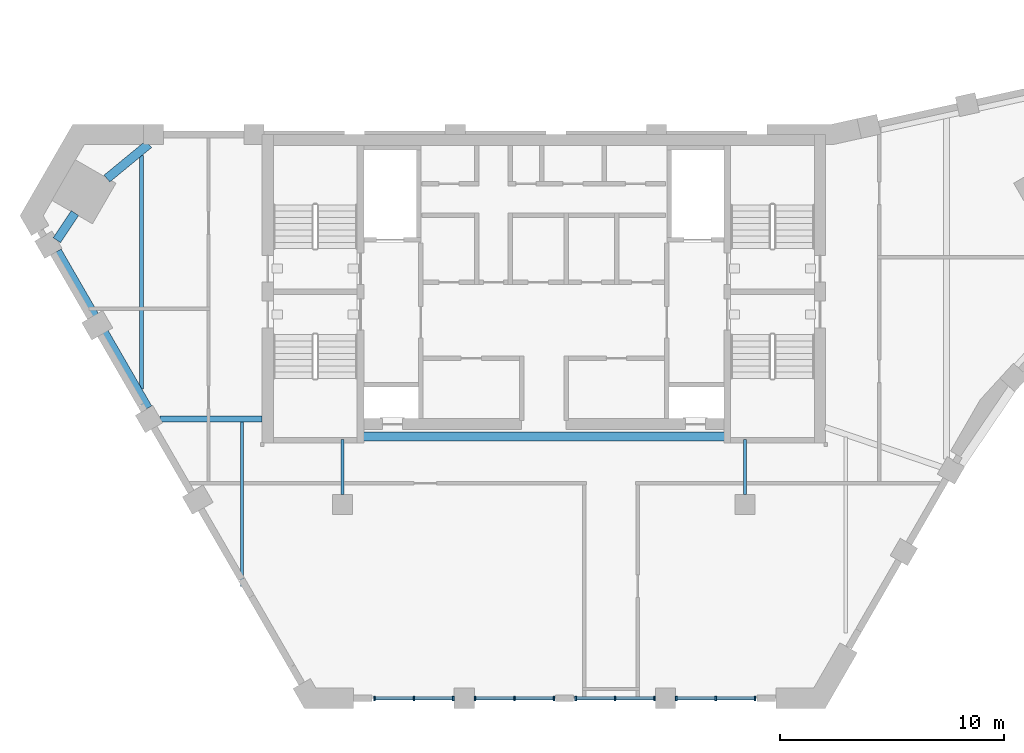
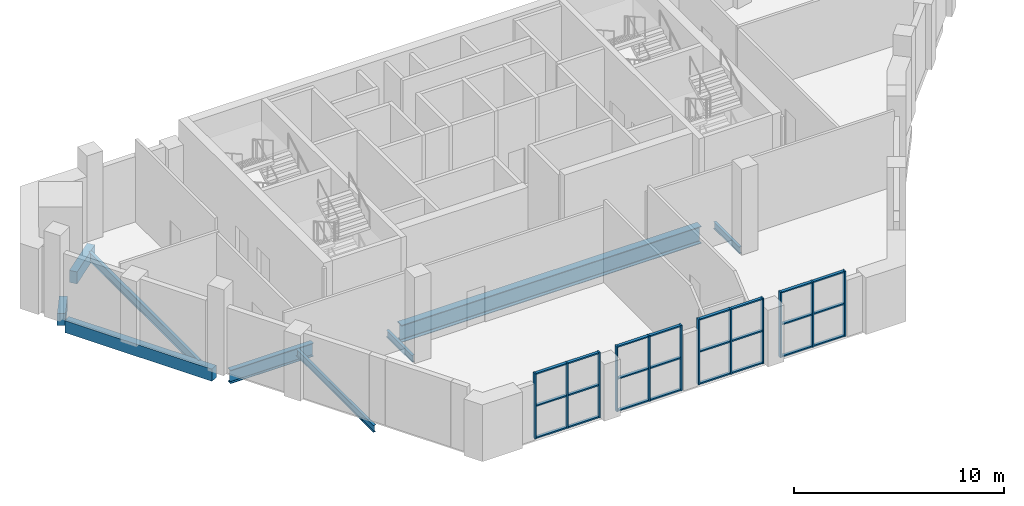
# One storey, part 2 of 9: 36 members, 9 beams, 4 elements without a shape of their own.
"""IFC4 building model written with IfcOpenShell, lengths in metres."""

from ifc_helpers import new_model, si_unit, direction, frame, origin, origin_2d, place, context, subcontext, project, spatial, rectangle, i_section, extrude, material, material_profile, profile_set, type_object, element, aggregate, save


model = new_model("IFC4")

# Units and contexts
model_context = context("Model", 3, precision=1e-05, world=origin(), true_north=direction((0.0, 1.0)))
body_context = subcontext(model_context, "Body", "Model", "MODEL_VIEW")
ifc_project = project(units=[si_unit("LENGTHUNIT", "METRE"), si_unit("AREAUNIT", "SQUARE_METRE"), si_unit("VOLUMEUNIT", "CUBIC_METRE"), si_unit("PLANEANGLEUNIT", "RADIAN"), si_unit("MASSUNIT", "GRAM", prefix="KILO")], contexts=[model_context])

# Site, building, storey
site_placement = place(None, origin())
site = spatial("IfcSite", under=ifc_project, at=site_placement, CompositionType="ELEMENT")
building_placement = place(site_placement, origin())
building = spatial("IfcBuilding", under=site, at=building_placement, Name="Calabash Gate Tower", CompositionType="ELEMENT")
storey_placement = place(building_placement, frame((0.0, 0.0, 325.5)))
storey = spatial("IfcBuildingStorey", under=building, at=storey_placement, Name="L76", CompositionType="ELEMENT", Elevation=325.5)

# Beams
ifc_material_1 = material(Name="Concrete C50/60", Category="concrete")
ifc_material_profile_1 = material_profile(ifc_material_1, rectangle(XDim=0.39990234375, YDim=0.699951171875, at=origin_2d()))
ifc_profile_set_1 = profile_set([ifc_material_profile_1], Name="Concrete C50/60")
beam_type_1 = type_object("IfcBeamType", Name="Edge beam RC 400x700 Concrete C50/60", PredefinedType="BEAM", material=ifc_profile_set_1)
beam_1_placement = place(storey_placement, frame((-17.673095703125, 18.623046875, -0.550048828125), z_axis=(-0.77193605732, -0.635700183585, 0.0), x_axis=(0.635700183585, -0.77193605732, 0.0)))
element("IfcBeam", 1, at=beam_1_placement, inside=storey, type_object=beam_type_1, Name="Edge beam L76 8", PredefinedType="BEAM", context=body_context, shape_type="SweptSolid", body=[
    extrude(rectangle(XDim=0.39990234375, YDim=0.699951171875, at=origin_2d()), origin(), (0.0, 0.0, 1.0), 2.421142578125),
])
beam_2_placement = place(storey_placement, frame((-20.97412109375, 15.535888671875, -0.550048828125), z_axis=(-0.556208441461, -0.831042820586, 0.0), x_axis=(0.831042820586, -0.556208441461, 0.0)))
element("IfcBeam", 2, at=beam_2_placement, inside=storey, type_object=beam_type_1, Name="Edge beam L76 9", PredefinedType="BEAM", context=body_context, shape_type="SweptSolid", body=[
    extrude(rectangle(XDim=0.39990234375, YDim=0.699951171875, at=origin_2d()), origin(), (0.0, 0.0, 1.0), 1.4560546875),
])
beam_3_placement = place(storey_placement, frame((-21.763916015625, 13.830078125, -0.550048828125), z_axis=(0.500016430238, -0.866015917575, 0.0), x_axis=(0.866015917575, 0.500016430238, 0.0)))
element("IfcBeam", 3, at=beam_3_placement, inside=storey, type_object=beam_type_1, Name="Edge beam L76 10", PredefinedType="BEAM", context=body_context, shape_type="SweptSolid", body=[
    extrude(rectangle(XDim=0.39990234375, YDim=0.699951171875, at=origin_2d()), origin(), (0.0, 0.0, 1.0), 8.099365234375),
])
ifc_material_2 = material(Name="Steel ASTM A992 Gr50", Category="steel")
ifc_material_profile_2 = material_profile(ifc_material_2, i_section(OverallWidth=0.1396484375, OverallDepth=0.398681640625, WebThickness=0.00634765625, FlangeThickness=0.0087890625, FilletRadius=0.01025390625, at=origin_2d()))
ifc_profile_set_2 = profile_set([ifc_material_profile_2], Name="Steel ASTM A992 Gr50")
beam_type_2 = type_object("IfcBeamType", Name="Floor beam W16x26 ASTM A992 Gr50", PredefinedType="BEAM", material=ifc_profile_set_2)
beam_4_placement = place(storey_placement, frame((-13.5, -1.173095703125, -0.39892578125), z_axis=(0.0, 1.0, 0.0), x_axis=(-1.0, 0.0, 0.0)))
element("IfcBeam", 4, at=beam_4_placement, inside=storey, type_object=beam_type_2, Name="Floor beam L76 2", PredefinedType="BEAM", context=body_context, shape_type="SweptSolid", body=[
    extrude(i_section(OverallWidth=0.1396484375, OverallDepth=0.398681640625, WebThickness=0.00634765625, FlangeThickness=0.0087890625, FilletRadius=0.01025390625, at=origin_2d()), origin(), (0.0, 0.0, 1.0), 7.364990234375),
])
for number, where, z_axis, x_axis, name in (
    (5, (-9.0, 2.949951171875, -0.39892578125), (0.0, 1.0, 0.0), (-1.0, 0.0, 0.0), "Floor beam L76 3"),
    (6, (9.0, 2.949951171875, -0.39892578125), (0.0, 1.0, 0.0), (-1.0, 0.0, 0.0), "Floor beam L76 4"),
):
    element("IfcBeam", number, at=place(storey_placement, frame(where, z_axis=z_axis, x_axis=x_axis)), inside=storey, type_object=beam_type_2, Name=name, PredefinedType="BEAM", context=body_context, shape_type="SweptSolid", body=[
        extrude(i_section(OverallWidth=0.1396484375, OverallDepth=0.398681640625, WebThickness=0.00634765625, FlangeThickness=0.0087890625, FilletRadius=0.01025390625, at=origin_2d()), origin(), (0.0, 0.0, 1.0), 2.453125),
    ])
ifc_material_3 = material(Name="Steel ASTM A992 Gr50", Category="steel")
ifc_material_profile_3 = material_profile(ifc_material_3, i_section(OverallWidth=0.166015625, OverallDepth=0.5283203125, WebThickness=0.009765625, FlangeThickness=0.013671875, FilletRadius=0.0126953125, at=origin_2d()))
ifc_profile_set_3 = profile_set([ifc_material_profile_3], Name="Steel ASTM A992 Gr50")
beam_type_3 = type_object("IfcBeamType", Name="Floor beam W21x50 ASTM A992 Gr50", PredefinedType="BEAM", material=ifc_profile_set_3)
beam_5_placement = place(storey_placement, frame((-18.0, 7.679931640625, -0.464111328125), z_axis=(0.0, 1.0, 0.0), x_axis=(-1.0, 0.0, 0.0)))
element("IfcBeam", 7, at=beam_5_placement, inside=storey, type_object=beam_type_3, Name="Floor beam L76 1", PredefinedType="BEAM", context=body_context, shape_type="SweptSolid", body=[
    extrude(i_section(OverallWidth=0.166015625, OverallDepth=0.5283203125, WebThickness=0.009765625, FlangeThickness=0.013671875, FilletRadius=0.0126953125, at=origin_2d()), origin(), (0.0, 0.0, 1.0), 10.43701171875),
])
ifc_material_4 = material(Name="Steel ASTM A992 Gr50", Category="steel")
ifc_material_profile_4 = material_profile(ifc_material_4, i_section(OverallWidth=0.2666015625, OverallDepth=0.77978515625, WebThickness=0.0166015625, FlangeThickness=0.030029296875, FilletRadius=0.0166015625, at=origin_2d()))
ifc_profile_set_4 = profile_set([ifc_material_profile_4], Name="Steel ASTM A992 Gr50")
beam_type_4 = type_object("IfcBeamType", Name="Girder W30x148 ASTM A992 Gr50", PredefinedType="BEAM", material=ifc_profile_set_4)
beam_6_placement = place(storey_placement, frame((-17.1640625, 6.325927734375, -0.590087890625), z_axis=(1.0, 0.0, 0.0), x_axis=(0.0, 1.0, 0.0)))
element("IfcBeam", 8, at=beam_6_placement, inside=storey, type_object=beam_type_4, Name="Girder L76 2", PredefinedType="BEAM", context=body_context, shape_type="SweptSolid", body=[
    extrude(i_section(OverallWidth=0.2666015625, OverallDepth=0.77978515625, WebThickness=0.0166015625, FlangeThickness=0.030029296875, FilletRadius=0.0166015625, at=origin_2d()), origin(), (0.0, 0.0, 1.0), 4.56396484375),
])
ifc_material_5 = material(Name="Steel ASTM A992 Gr50", Category="steel")
ifc_material_profile_5 = material_profile(ifc_material_5, i_section(OverallWidth=0.4013671875, OverallDepth=1.000732421875, WebThickness=0.01904296875, FlangeThickness=0.0361328125, FilletRadius=0.030029296875, at=origin_2d()))
ifc_profile_set_5 = profile_set([ifc_material_profile_5], Name="Steel ASTM A992 Gr50")
beam_type_5 = type_object("IfcBeamType", Name="Girder W40x249 ASTM A992 Gr50", PredefinedType="BEAM", material=ifc_profile_set_5)
beam_7_placement = place(storey_placement, frame((-8.25, 5.552978515625, -0.699951171875), z_axis=(1.0, 0.0, 0.0), x_axis=(0.0, 1.0, 0.0)))
element("IfcBeam", 9, at=beam_7_placement, inside=storey, type_object=beam_type_5, Name="Girder L76 1", PredefinedType="BEAM", context=body_context, shape_type="SweptSolid", body=[
    extrude(i_section(OverallWidth=0.4013671875, OverallDepth=1.000732421875, WebThickness=0.01904296875, FlangeThickness=0.0361328125, FilletRadius=0.030029296875, at=origin_2d()), origin(), (0.0, 0.0, 1.0), 16.5),
])

# Curtain wall, members
ifc_material_6 = material(Name="Anodised aluminium frame, bronze finish, clear laminated impact-rated glazing", Category="aluminium")
curtain_wall_type = type_object("IfcCurtainWallType", Name="Curtain wall CWV crown wall", PredefinedType="NOTDEFINED", material=ifc_material_6)
curtain_wall_1_placement = place(storey_placement, origin())
curtain_wall_1 = element("IfcCurtainWall", 10, at=curtain_wall_1_placement, inside=storey, type_object=curtain_wall_type, Name="Curtain wall CWV L76 crown1.1", PredefinedType="NOTDEFINED")
ifc_material_7 = material(Name="Anodised aluminium frame, bronze finish", Category="aluminium")
ifc_material_profile_6 = material_profile(ifc_material_7, rectangle(XDim=0.199951171875, YDim=0.074951171875, at=origin_2d()))
ifc_profile_set_6 = profile_set([ifc_material_profile_6], Name="Anodised aluminium frame, bronze finish")
member_type_1 = type_object("IfcMemberType", Name="Mullion CWV 75x200", PredefinedType="MULLION", material=ifc_profile_set_6)
member_1_placement = place(storey_placement, frame((-7.57666015625, -6.1630859375, 0.0), z_axis=(0.0, 0.0, 1.0), x_axis=(0.0, 1.0, 0.0)))
member_1 = element("IfcMember", 11, at=member_1_placement, type_object=member_type_1, Name="CWV mullion 1", PredefinedType="MULLION", context=body_context, shape_type="SweptSolid", body=[
    extrude(rectangle(XDim=0.199951171875, YDim=0.074951171875, at=origin_2d()), origin(), (0.0, 0.0, 1.0), 3.800048828125),
])
member_2_placement = place(storey_placement, frame((-5.81396484375, -6.1630859375, 0.0), z_axis=(0.0, 0.0, 1.0), x_axis=(0.0, 1.0, 0.0)))
member_2 = element("IfcMember", 12, at=member_2_placement, type_object=member_type_1, Name="CWV mullion 2", PredefinedType="MULLION", context=body_context, shape_type="SweptSolid", body=[
    extrude(rectangle(XDim=0.199951171875, YDim=0.074951171875, at=origin_2d()), origin(), (0.0, 0.0, 1.0), 3.800048828125),
])
member_3_placement = place(storey_placement, frame((-4.051513671875, -6.1630859375, 0.0), z_axis=(0.0, 0.0, 1.0), x_axis=(0.0, 1.0, 0.0)))
member_3 = element("IfcMember", 13, at=member_3_placement, type_object=member_type_1, Name="CWV mullion 3", PredefinedType="MULLION", context=body_context, shape_type="SweptSolid", body=[
    extrude(rectangle(XDim=0.199951171875, YDim=0.074951171875, at=origin_2d()), origin(), (0.0, 0.0, 1.0), 3.800048828125),
])

curtain_wall_2_placement = place(storey_placement, origin())
curtain_wall_2 = element("IfcCurtainWall", 14, at=curtain_wall_2_placement, inside=storey, type_object=curtain_wall_type, Name="Curtain wall CWV L76 crown1.2", PredefinedType="NOTDEFINED")
member_4_placement = place(storey_placement, frame((-3.07666015625, -6.1630859375, 0.0), z_axis=(0.0, 0.0, 1.0), x_axis=(0.0, 1.0, 0.0)))
member_4 = element("IfcMember", 15, at=member_4_placement, type_object=member_type_1, Name="CWV mullion 1", PredefinedType="MULLION", context=body_context, shape_type="SweptSolid", body=[
    extrude(rectangle(XDim=0.199951171875, YDim=0.074951171875, at=origin_2d()), origin(), (0.0, 0.0, 1.0), 3.800048828125),
])
member_5_placement = place(storey_placement, frame((-1.31396484375, -6.1630859375, 0.0), z_axis=(0.0, 0.0, 1.0), x_axis=(0.0, 1.0, 0.0)))
member_5 = element("IfcMember", 16, at=member_5_placement, type_object=member_type_1, Name="CWV mullion 2", PredefinedType="MULLION", context=body_context, shape_type="SweptSolid", body=[
    extrude(rectangle(XDim=0.199951171875, YDim=0.074951171875, at=origin_2d()), origin(), (0.0, 0.0, 1.0), 3.800048828125),
])
member_6_placement = place(storey_placement, frame((0.448486328125, -6.1630859375, 0.0), z_axis=(0.0, 0.0, 1.0), x_axis=(0.0, 1.0, 0.0)))
member_6 = element("IfcMember", 17, at=member_6_placement, type_object=member_type_1, Name="CWV mullion 3", PredefinedType="MULLION", context=body_context, shape_type="SweptSolid", body=[
    extrude(rectangle(XDim=0.199951171875, YDim=0.074951171875, at=origin_2d()), origin(), (0.0, 0.0, 1.0), 3.800048828125),
])

curtain_wall_3_placement = place(storey_placement, origin())
curtain_wall_3 = element("IfcCurtainWall", 18, at=curtain_wall_3_placement, inside=storey, type_object=curtain_wall_type, Name="Curtain wall CWV L76 crown1.3", PredefinedType="NOTDEFINED")
member_7_placement = place(storey_placement, frame((1.42333984375, -6.1630859375, 0.0), z_axis=(0.0, 0.0, 1.0), x_axis=(0.0, 1.0, 0.0)))
member_7 = element("IfcMember", 19, at=member_7_placement, type_object=member_type_1, Name="CWV mullion 1", PredefinedType="MULLION", context=body_context, shape_type="SweptSolid", body=[
    extrude(rectangle(XDim=0.199951171875, YDim=0.074951171875, at=origin_2d()), origin(), (0.0, 0.0, 1.0), 3.800048828125),
])
member_8_placement = place(storey_placement, frame((3.18603515625, -6.1630859375, 0.0), z_axis=(0.0, 0.0, 1.0), x_axis=(0.0, 1.0, 0.0)))
member_8 = element("IfcMember", 20, at=member_8_placement, type_object=member_type_1, Name="CWV mullion 2", PredefinedType="MULLION", context=body_context, shape_type="SweptSolid", body=[
    extrude(rectangle(XDim=0.199951171875, YDim=0.074951171875, at=origin_2d()), origin(), (0.0, 0.0, 1.0), 3.800048828125),
])
member_9_placement = place(storey_placement, frame((4.948486328125, -6.1630859375, 0.0), z_axis=(0.0, 0.0, 1.0), x_axis=(0.0, 1.0, 0.0)))
member_9 = element("IfcMember", 21, at=member_9_placement, type_object=member_type_1, Name="CWV mullion 3", PredefinedType="MULLION", context=body_context, shape_type="SweptSolid", body=[
    extrude(rectangle(XDim=0.199951171875, YDim=0.074951171875, at=origin_2d()), origin(), (0.0, 0.0, 1.0), 3.800048828125),
])

curtain_wall_4_placement = place(storey_placement, origin())
curtain_wall_4 = element("IfcCurtainWall", 22, at=curtain_wall_4_placement, inside=storey, type_object=curtain_wall_type, Name="Curtain wall CWV L76 crown1.4", PredefinedType="NOTDEFINED")
member_10_placement = place(storey_placement, frame((5.92333984375, -6.1630859375, 0.0), z_axis=(0.0, 0.0, 1.0), x_axis=(0.0, 1.0, 0.0)))
member_10 = element("IfcMember", 23, at=member_10_placement, type_object=member_type_1, Name="CWV mullion 1", PredefinedType="MULLION", context=body_context, shape_type="SweptSolid", body=[
    extrude(rectangle(XDim=0.199951171875, YDim=0.074951171875, at=origin_2d()), origin(), (0.0, 0.0, 1.0), 3.800048828125),
])
member_11_placement = place(storey_placement, frame((7.68603515625, -6.1630859375, 0.0), z_axis=(0.0, 0.0, 1.0), x_axis=(0.0, 1.0, 0.0)))
member_11 = element("IfcMember", 24, at=member_11_placement, type_object=member_type_1, Name="CWV mullion 2", PredefinedType="MULLION", context=body_context, shape_type="SweptSolid", body=[
    extrude(rectangle(XDim=0.199951171875, YDim=0.074951171875, at=origin_2d()), origin(), (0.0, 0.0, 1.0), 3.800048828125),
])
member_12_placement = place(storey_placement, frame((9.448486328125, -6.1630859375, 0.0), z_axis=(0.0, 0.0, 1.0), x_axis=(0.0, 1.0, 0.0)))
member_12 = element("IfcMember", 25, at=member_12_placement, type_object=member_type_1, Name="CWV mullion 3", PredefinedType="MULLION", context=body_context, shape_type="SweptSolid", body=[
    extrude(rectangle(XDim=0.199951171875, YDim=0.074951171875, at=origin_2d()), origin(), (0.0, 0.0, 1.0), 3.800048828125),
])

# Member
ifc_material_8 = material(Name="Anodised aluminium frame, bronze finish", Category="aluminium")
ifc_material_profile_7 = material_profile(ifc_material_8, rectangle(XDim=0.159912109375, YDim=0.074951171875, at=origin_2d()))
ifc_profile_set_7 = profile_set([ifc_material_profile_7], Name="Anodised aluminium frame, bronze finish")
member_type_2 = type_object("IfcMemberType", Name="Transom CWV 75x160", PredefinedType="USERDEFINED", material=ifc_profile_set_7)
member_13_placement = place(storey_placement, frame((-7.5390625, -6.1630859375, 0.03759765625), z_axis=(1.0, 0.0, 0.0), x_axis=(0.0, 1.0, 0.0)))
member_13 = element("IfcMember", 26, at=member_13_placement, type_object=member_type_2, Name="CWV transom 1.1", ObjectType="TRANSOM", PredefinedType="USERDEFINED", context=body_context, shape_type="SweptSolid", body=[
    extrude(rectangle(XDim=0.159912109375, YDim=0.074951171875, at=origin_2d()), origin(), (0.0, 0.0, 1.0), 1.6875),
])

member_14_placement = place(storey_placement, frame((-7.5390625, -6.1630859375, 1.89990234375), z_axis=(1.0, 0.0, 0.0), x_axis=(0.0, 1.0, 0.0)))
member_14 = element("IfcMember", 27, at=member_14_placement, type_object=member_type_2, Name="CWV transom 1.2", ObjectType="TRANSOM", PredefinedType="USERDEFINED", context=body_context, shape_type="SweptSolid", body=[
    extrude(rectangle(XDim=0.159912109375, YDim=0.074951171875, at=origin_2d()), origin(), (0.0, 0.0, 1.0), 1.6875),
])

member_15_placement = place(storey_placement, frame((-7.5390625, -6.1630859375, 3.762451171875), z_axis=(1.0, 0.0, 0.0), x_axis=(0.0, 1.0, 0.0)))
member_15 = element("IfcMember", 28, at=member_15_placement, type_object=member_type_2, Name="CWV transom 1.3", ObjectType="TRANSOM", PredefinedType="USERDEFINED", context=body_context, shape_type="SweptSolid", body=[
    extrude(rectangle(XDim=0.159912109375, YDim=0.074951171875, at=origin_2d()), origin(), (0.0, 0.0, 1.0), 1.6875),
])

member_16_placement = place(storey_placement, frame((-5.776611328125, -6.1630859375, 0.03759765625), z_axis=(1.0, 0.0, 0.0), x_axis=(0.0, 1.0, 0.0)))
member_16 = element("IfcMember", 29, at=member_16_placement, type_object=member_type_2, Name="CWV transom 2.1", ObjectType="TRANSOM", PredefinedType="USERDEFINED", context=body_context, shape_type="SweptSolid", body=[
    extrude(rectangle(XDim=0.159912109375, YDim=0.074951171875, at=origin_2d()), origin(), (0.0, 0.0, 1.0), 1.6875),
])

member_17_placement = place(storey_placement, frame((-5.776611328125, -6.1630859375, 1.89990234375), z_axis=(1.0, 0.0, 0.0), x_axis=(0.0, 1.0, 0.0)))
member_17 = element("IfcMember", 30, at=member_17_placement, type_object=member_type_2, Name="CWV transom 2.2", ObjectType="TRANSOM", PredefinedType="USERDEFINED", context=body_context, shape_type="SweptSolid", body=[
    extrude(rectangle(XDim=0.159912109375, YDim=0.074951171875, at=origin_2d()), origin(), (0.0, 0.0, 1.0), 1.6875),
])

member_18_placement = place(storey_placement, frame((-5.776611328125, -6.1630859375, 3.762451171875), z_axis=(1.0, 0.0, 0.0), x_axis=(0.0, 1.0, 0.0)))
member_18 = element("IfcMember", 31, at=member_18_placement, type_object=member_type_2, Name="CWV transom 2.3", ObjectType="TRANSOM", PredefinedType="USERDEFINED", context=body_context, shape_type="SweptSolid", body=[
    extrude(rectangle(XDim=0.159912109375, YDim=0.074951171875, at=origin_2d()), origin(), (0.0, 0.0, 1.0), 1.6875),
])

aggregate(curtain_wall_1, [member_1, member_2, member_3, member_13, member_14, member_15, member_16, member_17, member_18])

member_19_placement = place(storey_placement, frame((-3.0390625, -6.1630859375, 0.03759765625), z_axis=(1.0, 0.0, 0.0), x_axis=(0.0, 1.0, 0.0)))
member_19 = element("IfcMember", 32, at=member_19_placement, type_object=member_type_2, Name="CWV transom 1.1", ObjectType="TRANSOM", PredefinedType="USERDEFINED", context=body_context, shape_type="SweptSolid", body=[
    extrude(rectangle(XDim=0.159912109375, YDim=0.074951171875, at=origin_2d()), origin(), (0.0, 0.0, 1.0), 1.6875),
])

member_20_placement = place(storey_placement, frame((-3.0390625, -6.1630859375, 1.89990234375), z_axis=(1.0, 0.0, 0.0), x_axis=(0.0, 1.0, 0.0)))
member_20 = element("IfcMember", 33, at=member_20_placement, type_object=member_type_2, Name="CWV transom 1.2", ObjectType="TRANSOM", PredefinedType="USERDEFINED", context=body_context, shape_type="SweptSolid", body=[
    extrude(rectangle(XDim=0.159912109375, YDim=0.074951171875, at=origin_2d()), origin(), (0.0, 0.0, 1.0), 1.6875),
])

member_21_placement = place(storey_placement, frame((-3.0390625, -6.1630859375, 3.762451171875), z_axis=(1.0, 0.0, 0.0), x_axis=(0.0, 1.0, 0.0)))
member_21 = element("IfcMember", 34, at=member_21_placement, type_object=member_type_2, Name="CWV transom 1.3", ObjectType="TRANSOM", PredefinedType="USERDEFINED", context=body_context, shape_type="SweptSolid", body=[
    extrude(rectangle(XDim=0.159912109375, YDim=0.074951171875, at=origin_2d()), origin(), (0.0, 0.0, 1.0), 1.6875),
])

member_22_placement = place(storey_placement, frame((-1.276611328125, -6.1630859375, 0.03759765625), z_axis=(1.0, 0.0, 0.0), x_axis=(0.0, 1.0, 0.0)))
member_22 = element("IfcMember", 35, at=member_22_placement, type_object=member_type_2, Name="CWV transom 2.1", ObjectType="TRANSOM", PredefinedType="USERDEFINED", context=body_context, shape_type="SweptSolid", body=[
    extrude(rectangle(XDim=0.159912109375, YDim=0.074951171875, at=origin_2d()), origin(), (0.0, 0.0, 1.0), 1.6875),
])

member_23_placement = place(storey_placement, frame((-1.276611328125, -6.1630859375, 1.89990234375), z_axis=(1.0, 0.0, 0.0), x_axis=(0.0, 1.0, 0.0)))
member_23 = element("IfcMember", 36, at=member_23_placement, type_object=member_type_2, Name="CWV transom 2.2", ObjectType="TRANSOM", PredefinedType="USERDEFINED", context=body_context, shape_type="SweptSolid", body=[
    extrude(rectangle(XDim=0.159912109375, YDim=0.074951171875, at=origin_2d()), origin(), (0.0, 0.0, 1.0), 1.6875),
])

member_24_placement = place(storey_placement, frame((-1.276611328125, -6.1630859375, 3.762451171875), z_axis=(1.0, 0.0, 0.0), x_axis=(0.0, 1.0, 0.0)))
member_24 = element("IfcMember", 37, at=member_24_placement, type_object=member_type_2, Name="CWV transom 2.3", ObjectType="TRANSOM", PredefinedType="USERDEFINED", context=body_context, shape_type="SweptSolid", body=[
    extrude(rectangle(XDim=0.159912109375, YDim=0.074951171875, at=origin_2d()), origin(), (0.0, 0.0, 1.0), 1.6875),
])

aggregate(curtain_wall_2, [member_4, member_5, member_6, member_19, member_20, member_21, member_22, member_23, member_24])

member_25_placement = place(storey_placement, frame((1.4609375, -6.1630859375, 0.03759765625), z_axis=(1.0, 0.0, 0.0), x_axis=(0.0, 1.0, 0.0)))
member_25 = element("IfcMember", 38, at=member_25_placement, type_object=member_type_2, Name="CWV transom 1.1", ObjectType="TRANSOM", PredefinedType="USERDEFINED", context=body_context, shape_type="SweptSolid", body=[
    extrude(rectangle(XDim=0.159912109375, YDim=0.074951171875, at=origin_2d()), origin(), (0.0, 0.0, 1.0), 1.6875),
])

member_26_placement = place(storey_placement, frame((1.4609375, -6.1630859375, 1.89990234375), z_axis=(1.0, 0.0, 0.0), x_axis=(0.0, 1.0, 0.0)))
member_26 = element("IfcMember", 39, at=member_26_placement, type_object=member_type_2, Name="CWV transom 1.2", ObjectType="TRANSOM", PredefinedType="USERDEFINED", context=body_context, shape_type="SweptSolid", body=[
    extrude(rectangle(XDim=0.159912109375, YDim=0.074951171875, at=origin_2d()), origin(), (0.0, 0.0, 1.0), 1.6875),
])

member_27_placement = place(storey_placement, frame((1.4609375, -6.1630859375, 3.762451171875), z_axis=(1.0, 0.0, 0.0), x_axis=(0.0, 1.0, 0.0)))
member_27 = element("IfcMember", 40, at=member_27_placement, type_object=member_type_2, Name="CWV transom 1.3", ObjectType="TRANSOM", PredefinedType="USERDEFINED", context=body_context, shape_type="SweptSolid", body=[
    extrude(rectangle(XDim=0.159912109375, YDim=0.074951171875, at=origin_2d()), origin(), (0.0, 0.0, 1.0), 1.6875),
])

member_28_placement = place(storey_placement, frame((3.223388671875, -6.1630859375, 0.03759765625), z_axis=(1.0, 0.0, 0.0), x_axis=(0.0, 1.0, 0.0)))
member_28 = element("IfcMember", 41, at=member_28_placement, type_object=member_type_2, Name="CWV transom 2.1", ObjectType="TRANSOM", PredefinedType="USERDEFINED", context=body_context, shape_type="SweptSolid", body=[
    extrude(rectangle(XDim=0.159912109375, YDim=0.074951171875, at=origin_2d()), origin(), (0.0, 0.0, 1.0), 1.6875),
])

member_29_placement = place(storey_placement, frame((3.223388671875, -6.1630859375, 1.89990234375), z_axis=(1.0, 0.0, 0.0), x_axis=(0.0, 1.0, 0.0)))
member_29 = element("IfcMember", 42, at=member_29_placement, type_object=member_type_2, Name="CWV transom 2.2", ObjectType="TRANSOM", PredefinedType="USERDEFINED", context=body_context, shape_type="SweptSolid", body=[
    extrude(rectangle(XDim=0.159912109375, YDim=0.074951171875, at=origin_2d()), origin(), (0.0, 0.0, 1.0), 1.6875),
])

member_30_placement = place(storey_placement, frame((3.223388671875, -6.1630859375, 3.762451171875), z_axis=(1.0, 0.0, 0.0), x_axis=(0.0, 1.0, 0.0)))
member_30 = element("IfcMember", 43, at=member_30_placement, type_object=member_type_2, Name="CWV transom 2.3", ObjectType="TRANSOM", PredefinedType="USERDEFINED", context=body_context, shape_type="SweptSolid", body=[
    extrude(rectangle(XDim=0.159912109375, YDim=0.074951171875, at=origin_2d()), origin(), (0.0, 0.0, 1.0), 1.6875),
])

aggregate(curtain_wall_3, [member_7, member_8, member_9, member_25, member_26, member_27, member_28, member_29, member_30])

member_31_placement = place(storey_placement, frame((5.9609375, -6.1630859375, 0.03759765625), z_axis=(1.0, 0.0, 0.0), x_axis=(0.0, 1.0, 0.0)))
member_31 = element("IfcMember", 44, at=member_31_placement, type_object=member_type_2, Name="CWV transom 1.1", ObjectType="TRANSOM", PredefinedType="USERDEFINED", context=body_context, shape_type="SweptSolid", body=[
    extrude(rectangle(XDim=0.159912109375, YDim=0.074951171875, at=origin_2d()), origin(), (0.0, 0.0, 1.0), 1.6875),
])

member_32_placement = place(storey_placement, frame((5.9609375, -6.1630859375, 1.89990234375), z_axis=(1.0, 0.0, 0.0), x_axis=(0.0, 1.0, 0.0)))
member_32 = element("IfcMember", 45, at=member_32_placement, type_object=member_type_2, Name="CWV transom 1.2", ObjectType="TRANSOM", PredefinedType="USERDEFINED", context=body_context, shape_type="SweptSolid", body=[
    extrude(rectangle(XDim=0.159912109375, YDim=0.074951171875, at=origin_2d()), origin(), (0.0, 0.0, 1.0), 1.6875),
])

member_33_placement = place(storey_placement, frame((5.9609375, -6.1630859375, 3.762451171875), z_axis=(1.0, 0.0, 0.0), x_axis=(0.0, 1.0, 0.0)))
member_33 = element("IfcMember", 46, at=member_33_placement, type_object=member_type_2, Name="CWV transom 1.3", ObjectType="TRANSOM", PredefinedType="USERDEFINED", context=body_context, shape_type="SweptSolid", body=[
    extrude(rectangle(XDim=0.159912109375, YDim=0.074951171875, at=origin_2d()), origin(), (0.0, 0.0, 1.0), 1.6875),
])

member_34_placement = place(storey_placement, frame((7.723388671875, -6.1630859375, 0.03759765625), z_axis=(1.0, 0.0, 0.0), x_axis=(0.0, 1.0, 0.0)))
member_34 = element("IfcMember", 47, at=member_34_placement, type_object=member_type_2, Name="CWV transom 2.1", ObjectType="TRANSOM", PredefinedType="USERDEFINED", context=body_context, shape_type="SweptSolid", body=[
    extrude(rectangle(XDim=0.159912109375, YDim=0.074951171875, at=origin_2d()), origin(), (0.0, 0.0, 1.0), 1.6875),
])

member_35_placement = place(storey_placement, frame((7.723388671875, -6.1630859375, 1.89990234375), z_axis=(1.0, 0.0, 0.0), x_axis=(0.0, 1.0, 0.0)))
member_35 = element("IfcMember", 48, at=member_35_placement, type_object=member_type_2, Name="CWV transom 2.2", ObjectType="TRANSOM", PredefinedType="USERDEFINED", context=body_context, shape_type="SweptSolid", body=[
    extrude(rectangle(XDim=0.159912109375, YDim=0.074951171875, at=origin_2d()), origin(), (0.0, 0.0, 1.0), 1.6875),
])

member_36_placement = place(storey_placement, frame((7.723388671875, -6.1630859375, 3.762451171875), z_axis=(1.0, 0.0, 0.0), x_axis=(0.0, 1.0, 0.0)))
member_36 = element("IfcMember", 49, at=member_36_placement, type_object=member_type_2, Name="CWV transom 2.3", ObjectType="TRANSOM", PredefinedType="USERDEFINED", context=body_context, shape_type="SweptSolid", body=[
    extrude(rectangle(XDim=0.159912109375, YDim=0.074951171875, at=origin_2d()), origin(), (0.0, 0.0, 1.0), 1.6875),
])

aggregate(curtain_wall_4, [member_10, member_11, member_12, member_31, member_32, member_33, member_34, member_35, member_36])

save(model, "model.ifc")
